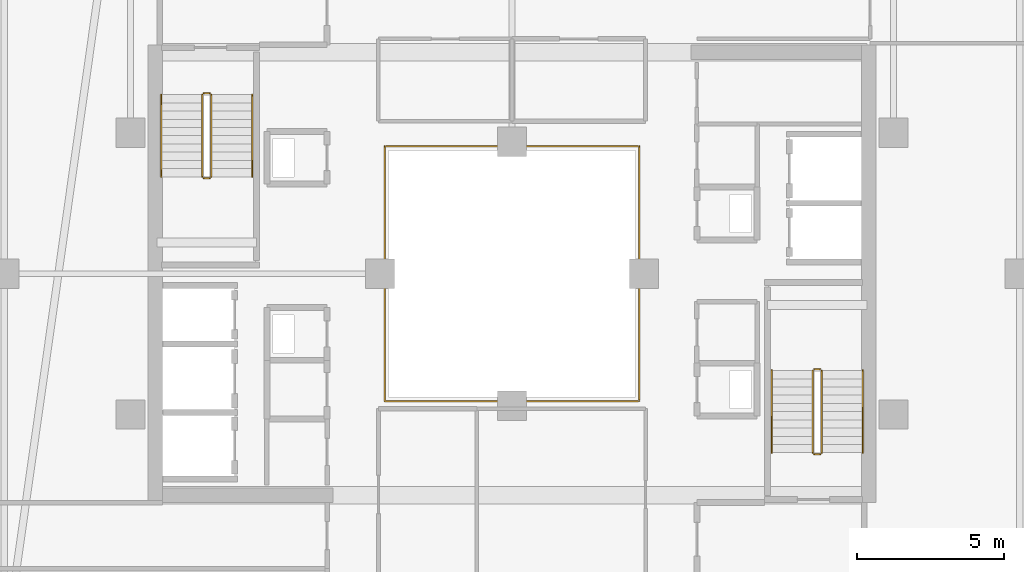
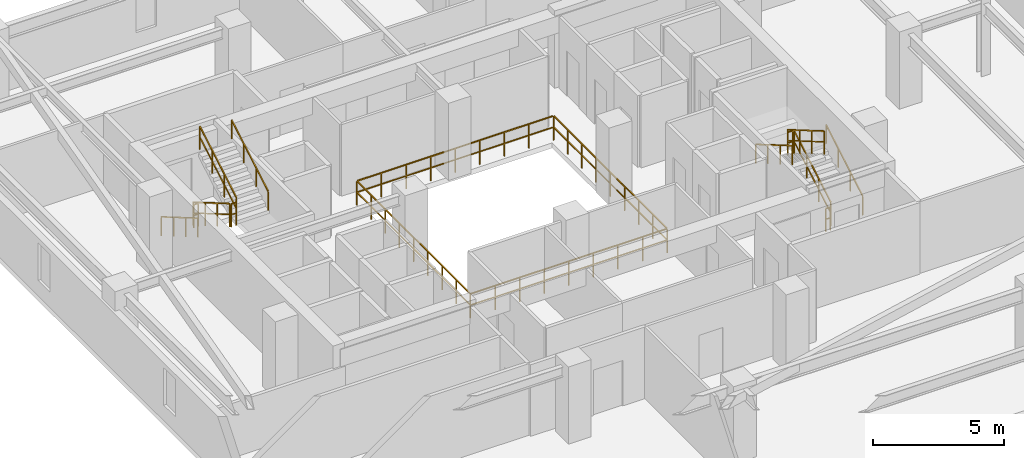
# One storey, part 31 of 32: 13 railings.
"""IFC4 building model written with IfcOpenShell, lengths in metres."""

import ifcopenshell
import ifcopenshell.guid

model = None  # the IFC model being written
_history = None  # IfcOwnerHistory: only IFC2X3 demands one
_inside = {}  # id of a spatial element -> (the spatial element, [elements in it])
_under = {}  # id of a project, library or spatial element -> (it, [spatial elements below it])
_declared = {}  # id of a project -> (the project, [libraries it declares])
_typed = {}  # id of a type object -> (the type object, [elements of that type])
_made_of = {}  # id of a material, layer set ... -> (it, [elements and type objects made of it])


def new_model(schema):
    """Start an empty IFC model of exactly this schema.

    Asked for "IFC4X3", IfcOpenShell would pick the latest addendum, in which some entities
    have other attributes; the version numbers below select the first issue.
    IFC2X3 requires an IfcOwnerHistory on every rooted entity: one is made here for all.
    """
    global model, _history
    if schema == "IFC4X3":
        model = ifcopenshell.file(schema_version=(4, 3, 0, 0))
    else:
        model = ifcopenshell.file(schema=schema)
    _inside.clear()
    _under.clear()
    _declared.clear()
    _typed.clear()
    _made_of.clear()
    _history = None
    if model.schema == "IFC2X3":
        org = make("IfcOrganization", Name="unknown")
        user = make(
            "IfcPersonAndOrganization",
            ThePerson=make("IfcPerson", FamilyName="unknown"),
            TheOrganization=org,
        )
        app = make(
            "IfcApplication",
            ApplicationDeveloper=org,
            Version="unknown",
            ApplicationFullName="unknown",
            ApplicationIdentifier="unknown",
        )
        _history = make(
            "IfcOwnerHistory",
            OwningUser=user,
            OwningApplication=app,
            ChangeAction="ADDED",
            CreationDate=0,
        )
    return model


def make(cls, **values):
    """One entity of the class cls with the attributes given. An attribute that is None is left unset."""
    return model.create_entity(
        cls, **{name: value for name, value in values.items() if value is not None}
    )


def rooted(cls, **values):
    """An entity with a GlobalId (a new one), such as an element, a storey or a relation."""
    return make(cls, GlobalId=ifcopenshell.guid.new(), OwnerHistory=_history, **values)


def si_unit(unit_type, name, prefix=None):
    """IfcSIUnit, for example si_unit("LENGTHUNIT", "METRE", prefix="MILLI")."""
    return make("IfcSIUnit", UnitType=unit_type, Prefix=prefix, Name=name)


def assignment(units):
    """IfcUnitAssignment: the units of a project."""
    return None if units is None else make("IfcUnitAssignment", Units=units)


def point(xyz):
    """IfcCartesianPoint."""
    return None if xyz is None else make("IfcCartesianPoint", Coordinates=xyz)


def direction(xyz):
    """IfcDirection."""
    return None if xyz is None else make("IfcDirection", DirectionRatios=xyz)


def frame(location, z_axis=None, x_axis=None):
    """IfcAxis2Placement3D, a coordinate frame: its origin and axes. An axis left out is left unset."""
    return make(
        "IfcAxis2Placement3D",
        Location=point(location),
        Axis=direction(z_axis),
        RefDirection=direction(x_axis),
    )


def frame_2d(location, x_axis=None):
    """IfcAxis2Placement2D, a coordinate frame in the plane: its origin and x axis."""
    return make(
        "IfcAxis2Placement2D", Location=point(location), RefDirection=direction(x_axis)
    )


def origin():
    """The frame at (0, 0, 0) with its axes left unset."""
    return frame((0.0, 0.0, 0.0))


def origin_2d():
    """The frame at (0, 0) in the plane with its x axis left unset."""
    return frame_2d((0.0, 0.0))


def place(relative_to, where):
    """IfcLocalPlacement: puts the frame where relative to a parent placement (None: the world)."""
    return make(
        "IfcLocalPlacement", PlacementRelTo=relative_to, RelativePlacement=where
    )


def context(
    kind, dimensions, precision=None, world=None, true_north=None, identifier=None
):
    """IfcGeometricRepresentationContext, for example the 3D "Model" context."""
    return make(
        "IfcGeometricRepresentationContext",
        ContextIdentifier=identifier,
        ContextType=kind,
        CoordinateSpaceDimension=dimensions,
        Precision=precision,
        WorldCoordinateSystem=world,
        TrueNorth=true_north,
    )


def subcontext(parent, identifier, kind, view, scale=None):
    """IfcGeometricRepresentationSubContext, for example "Body" below "Model"."""
    return make(
        "IfcGeometricRepresentationSubContext",
        ContextIdentifier=identifier,
        ContextType=kind,
        ParentContext=parent,
        TargetScale=scale,
        TargetView=view,
    )


def project(units=None, contexts=None):
    """IfcProject with its units and contexts."""
    return rooted(
        "IfcProject",
        Name="project",
        RepresentationContexts=contexts,
        UnitsInContext=assignment(units),
    )


def spatial(cls, under=None, at=None, **own):
    """A site, building, storey or space (cls), placed at a placement, below another one or the project."""
    s = rooted(cls, ObjectPlacement=at, **own)
    if under is not None:
        _under.setdefault(under.id(), (under, []))[1].append(s)
    return s


def profile(cls, at=None, kind="AREA", **sizes):
    """A parametric profile (cls). Its sizes go by their IFC names, for example OverallWidth=200.0."""
    return make(cls, ProfileType=kind, Position=at, **sizes)


def rectangle(**sizes):
    """IfcRectangleProfileDef."""
    return profile("IfcRectangleProfileDef", **sizes)


def extrude(swept, where, along, depth):
    """IfcExtrudedAreaSolid: the profile swept, set in the frame where, extruded along a direction by depth."""
    return make(
        "IfcExtrudedAreaSolid",
        SweptArea=swept,
        Position=where,
        ExtrudedDirection=direction(along),
        Depth=depth,
    )


def shape(context_of_items, identifier, shape_type, items):
    """IfcShapeRepresentation: the items that make up one representation, for example the "Body"."""
    return make(
        "IfcShapeRepresentation",
        ContextOfItems=context_of_items,
        RepresentationIdentifier=identifier,
        RepresentationType=shape_type,
        Items=items,
    )


def material(Name=None, Category=None):
    """IfcMaterial."""
    return make("IfcMaterial", Name=Name, Category=Category)


def made_of(thing, what):
    """Note that an element or type object is made of a material, layer set ...; save() writes the relation."""
    if what is not None:
        _made_of.setdefault(what.id(), (what, []))[1].append(thing)
    return thing


def type_object(cls, material=None, **own):
    """A type object (cls), such as IfcWallType, which elements share."""
    return made_of(rooted(cls, **own), material)


def element(
    cls,
    number,
    at=None,
    inside=None,
    cuts=None,
    type_object=None,
    material=None,
    context=None,
    identifier="Body",
    shape_type=None,
    held_by="IfcProductDefinitionShape",
    body=None,
    shapes=None,
    **own,
):
    """One element of the class cls, such as IfcWall. Its Tag is "e" and its number.

    at: its placement. inside: the storey or other place that contains it. cuts: it is an
    opening in that element (IfcRelVoidsElement). A single representation is given by context,
    identifier, shape_type and body (its items); several are given by shapes. held_by: the class
    of the entity that holds the representations. save() writes the other relations.
    """
    e = rooted(cls, Tag="e%d" % number, ObjectPlacement=at, **own)
    if body is not None:
        shapes = [shape(context, identifier, shape_type, body)]
    if shapes is not None:
        e.Representation = make(held_by, Representations=shapes)
    if inside is not None:
        _inside.setdefault(inside.id(), (inside, []))[1].append(e)
    if cuts is not None:
        rooted(
            "IfcRelVoidsElement", RelatingBuildingElement=cuts, RelatedOpeningElement=e
        )
    if type_object is not None:
        _typed.setdefault(type_object.id(), (type_object, []))[1].append(e)
    return made_of(e, material)


def aggregate(whole, parts):
    """IfcRelAggregates: a whole, such as a stair, and the parts it consists of."""
    return rooted("IfcRelAggregates", RelatingObject=whole, RelatedObjects=parts)


def save(model, path):
    """Write the relations noted so far, then the file.

    IfcRelAggregates (storeys below a building ...), IfcRelContainedInSpatialStructure (elements
    in a storey), IfcRelDefinesByType, IfcRelAssociatesMaterial and IfcRelDeclares: one each for
    every whole, place, type object, material and project.
    """
    for whole, parts in _under.values():
        aggregate(whole, parts)
    for where, things in _inside.values():
        rooted(
            "IfcRelContainedInSpatialStructure",
            RelatedElements=things,
            RelatingStructure=where,
        )
    for kind, things in _typed.values():
        rooted("IfcRelDefinesByType", RelatedObjects=things, RelatingType=kind)
    for what, things in _made_of.values():
        rooted("IfcRelAssociatesMaterial", RelatedObjects=things, RelatingMaterial=what)
    for by, libraries in _declared.values():
        rooted("IfcRelDeclares", RelatingContext=by, RelatedDefinitions=libraries)
    model.write(path)


model = new_model("IFC4")

# Units and contexts
model_context = context("Model", 3, precision=1e-05, world=origin(), true_north=direction((0.0, 1.0)))
body_context = subcontext(model_context, "Body", "Model", "MODEL_VIEW")
ifc_project = project(units=[si_unit("LENGTHUNIT", "METRE"), si_unit("AREAUNIT", "SQUARE_METRE"), si_unit("VOLUMEUNIT", "CUBIC_METRE"), si_unit("PLANEANGLEUNIT", "RADIAN"), si_unit("MASSUNIT", "GRAM", prefix="KILO")], contexts=[model_context])

# Site, building, storey
site_placement = place(None, origin())
site = spatial("IfcSite", under=ifc_project, at=site_placement, CompositionType="ELEMENT")
building_placement = place(site_placement, origin())
building = spatial("IfcBuilding", under=site, at=building_placement, Name="Thornwick Lancets Civic Towers", CompositionType="ELEMENT")
storey_placement = place(building_placement, frame((0.0, 0.0, 243.89990234375)))
storey = spatial("IfcBuildingStorey", under=building, at=storey_placement, Name="L65", CompositionType="ELEMENT", Elevation=243.89990234375)

# Railings
ifc_material_1 = material(Name="Laminated glass and bronze steel S355", Category="steel")
railing_type_1 = type_object("IfcRailingType", Name="RAIL_ATRIUM_GUARD", PredefinedType="BALUSTRADE", material=ifc_material_1)
railing_1_placement = place(storey_placement, frame((84.159912109375, 22.659912109375, 0.0)))
element("IfcRailing", 1, at=railing_1_placement, inside=storey, type_object=railing_type_1, Name="L65 Tower B Central Atrium Guard Balustrade", PredefinedType="BALUSTRADE", context=body_context, shape_type="SweptSolid", body=[
    extrude(rectangle(XDim=0.048095703125, YDim=0.048095703125, at=origin_2d()), frame((0.0, 0.0, 1.1259765625), z_axis=(1.0, 0.0, 0.0), x_axis=(0.0, 1.0, 0.0)), (0.0, 0.0, 1.0), 8.64892578125),
    extrude(rectangle(XDim=0.0419921875, YDim=0.0419921875, at=origin_2d()), frame((0.03759765625, 0.0, 0.597900390625), z_axis=(1.0, 0.0, 0.0), x_axis=(0.0, 1.0, 0.0)), (0.0, 0.0, 1.0), 1.010009765625),
    extrude(rectangle(XDim=0.0419921875, YDim=0.0419921875, at=origin_2d()), frame((1.12255859375, 0.0, 0.597900390625), z_axis=(1.0, 0.0, 0.0), x_axis=(0.0, 1.0, 0.0)), (0.0, 0.0, 1.0), 1.010009765625),
    extrude(rectangle(XDim=0.0419921875, YDim=0.0419921875, at=origin_2d()), frame((2.20751953125, 0.0, 0.597900390625), z_axis=(1.0, 0.0, 0.0), x_axis=(0.0, 1.0, 0.0)), (0.0, 0.0, 1.0), 1.010009765625),
    extrude(rectangle(XDim=0.0419921875, YDim=0.0419921875, at=origin_2d()), frame((3.29248046875, 0.0, 0.597900390625), z_axis=(1.0, 0.0, 0.0), x_axis=(0.0, 1.0, 0.0)), (0.0, 0.0, 1.0), 1.010009765625),
    extrude(rectangle(XDim=0.0419921875, YDim=0.0419921875, at=origin_2d()), frame((4.377685546875, 0.0, 0.597900390625), z_axis=(1.0, 0.0, 0.0), x_axis=(0.0, 1.0, 0.0)), (0.0, 0.0, 1.0), 1.010009765625),
    extrude(rectangle(XDim=0.0419921875, YDim=0.0419921875, at=origin_2d()), frame((5.462646484375, 0.0, 0.597900390625), z_axis=(1.0, 0.0, 0.0), x_axis=(0.0, 1.0, 0.0)), (0.0, 0.0, 1.0), 1.010009765625),
    extrude(rectangle(XDim=0.0419921875, YDim=0.0419921875, at=origin_2d()), frame((6.547607421875, 0.0, 0.597900390625), z_axis=(1.0, 0.0, 0.0), x_axis=(0.0, 1.0, 0.0)), (0.0, 0.0, 1.0), 1.010009765625),
    extrude(rectangle(XDim=0.0419921875, YDim=0.0419921875, at=origin_2d()), frame((7.632568359375, 0.0, 0.597900390625), z_axis=(1.0, 0.0, 0.0), x_axis=(0.0, 1.0, 0.0)), (0.0, 0.0, 1.0), 1.010009765625),
    extrude(rectangle(XDim=0.048095703125, YDim=0.048095703125, at=origin_2d()), frame((8.68017578125, 0.03125, 1.1259765625), z_axis=(0.0, 1.0, 0.0), x_axis=(-1.0, 0.0, 0.0)), (0.0, 0.0, 1.0), 8.61767578125),
    extrude(rectangle(XDim=0.0419921875, YDim=0.0419921875, at=origin_2d()), frame((8.68017578125, 0.03759765625, 0.597900390625), z_axis=(0.0, 1.0, 0.0), x_axis=(-1.0, 0.0, 0.0)), (0.0, 0.0, 1.0), 1.010009765625),
    extrude(rectangle(XDim=0.0419921875, YDim=0.0419921875, at=origin_2d()), frame((8.68017578125, 1.12255859375, 0.597900390625), z_axis=(0.0, 1.0, 0.0), x_axis=(-1.0, 0.0, 0.0)), (0.0, 0.0, 1.0), 1.010009765625),
    extrude(rectangle(XDim=0.0419921875, YDim=0.0419921875, at=origin_2d()), frame((8.68017578125, 2.20751953125, 0.597900390625), z_axis=(0.0, 1.0, 0.0), x_axis=(-1.0, 0.0, 0.0)), (0.0, 0.0, 1.0), 1.010009765625),
    extrude(rectangle(XDim=0.0419921875, YDim=0.0419921875, at=origin_2d()), frame((8.68017578125, 3.29248046875, 0.597900390625), z_axis=(0.0, 1.0, 0.0), x_axis=(-1.0, 0.0, 0.0)), (0.0, 0.0, 1.0), 1.010009765625),
    extrude(rectangle(XDim=0.0419921875, YDim=0.0419921875, at=origin_2d()), frame((8.68017578125, 4.377685546875, 0.597900390625), z_axis=(0.0, 1.0, 0.0), x_axis=(-1.0, 0.0, 0.0)), (0.0, 0.0, 1.0), 1.010009765625),
    extrude(rectangle(XDim=0.0419921875, YDim=0.0419921875, at=origin_2d()), frame((8.68017578125, 5.462646484375, 0.597900390625), z_axis=(0.0, 1.0, 0.0), x_axis=(-1.0, 0.0, 0.0)), (0.0, 0.0, 1.0), 1.010009765625),
    extrude(rectangle(XDim=0.0419921875, YDim=0.0419921875, at=origin_2d()), frame((8.68017578125, 6.547607421875, 0.597900390625), z_axis=(0.0, 1.0, 0.0), x_axis=(-1.0, 0.0, 0.0)), (0.0, 0.0, 1.0), 1.010009765625),
    extrude(rectangle(XDim=0.0419921875, YDim=0.0419921875, at=origin_2d()), frame((8.68017578125, 7.632568359375, 0.597900390625), z_axis=(0.0, 1.0, 0.0), x_axis=(-1.0, 0.0, 0.0)), (0.0, 0.0, 1.0), 1.010009765625),
    extrude(rectangle(XDim=0.048095703125, YDim=0.048095703125, at=origin_2d()), frame((8.64892578125, 8.68017578125, 1.1259765625), z_axis=(-1.0, 0.0, 0.0), x_axis=(0.0, -1.0, 0.0)), (0.0, 0.0, 1.0), 8.61767578125),
    extrude(rectangle(XDim=0.0419921875, YDim=0.0419921875, at=origin_2d()), frame((8.642578125, 8.68017578125, 0.597900390625), z_axis=(-1.0, 0.0, 0.0), x_axis=(0.0, -1.0, 0.0)), (0.0, 0.0, 1.0), 1.010009765625),
    extrude(rectangle(XDim=0.0419921875, YDim=0.0419921875, at=origin_2d()), frame((7.5576171875, 8.68017578125, 0.597900390625), z_axis=(-1.0, 0.0, 0.0), x_axis=(0.0, -1.0, 0.0)), (0.0, 0.0, 1.0), 1.010009765625),
    extrude(rectangle(XDim=0.0419921875, YDim=0.0419921875, at=origin_2d()), frame((6.47265625, 8.68017578125, 0.597900390625), z_axis=(-1.0, 0.0, 0.0), x_axis=(0.0, -1.0, 0.0)), (0.0, 0.0, 1.0), 1.010009765625),
    extrude(rectangle(XDim=0.0419921875, YDim=0.0419921875, at=origin_2d()), frame((5.3876953125, 8.68017578125, 0.597900390625), z_axis=(-1.0, 0.0, 0.0), x_axis=(0.0, -1.0, 0.0)), (0.0, 0.0, 1.0), 1.010009765625),
    extrude(rectangle(XDim=0.0419921875, YDim=0.0419921875, at=origin_2d()), frame((4.302490234375, 8.68017578125, 0.597900390625), z_axis=(-1.0, 0.0, 0.0), x_axis=(0.0, -1.0, 0.0)), (0.0, 0.0, 1.0), 1.010009765625),
    extrude(rectangle(XDim=0.0419921875, YDim=0.0419921875, at=origin_2d()), frame((3.217529296875, 8.68017578125, 0.597900390625), z_axis=(-1.0, 0.0, 0.0), x_axis=(0.0, -1.0, 0.0)), (0.0, 0.0, 1.0), 1.010009765625),
    extrude(rectangle(XDim=0.0419921875, YDim=0.0419921875, at=origin_2d()), frame((2.132568359375, 8.68017578125, 0.597900390625), z_axis=(-1.0, 0.0, 0.0), x_axis=(0.0, -1.0, 0.0)), (0.0, 0.0, 1.0), 1.010009765625),
    extrude(rectangle(XDim=0.0419921875, YDim=0.0419921875, at=origin_2d()), frame((1.047607421875, 8.68017578125, 0.597900390625), z_axis=(-1.0, 0.0, 0.0), x_axis=(0.0, -1.0, 0.0)), (0.0, 0.0, 1.0), 1.010009765625),
    extrude(rectangle(XDim=0.048095703125, YDim=0.048095703125, at=origin_2d()), frame((0.0, 8.64892578125, 1.1259765625), z_axis=(0.0, -1.0, 0.0), x_axis=(1.0, 0.0, 0.0)), (0.0, 0.0, 1.0), 8.64892578125),
    extrude(rectangle(XDim=0.0419921875, YDim=0.0419921875, at=origin_2d()), frame((0.0, 8.642578125, 0.597900390625), z_axis=(0.0, -1.0, 0.0), x_axis=(1.0, 0.0, 0.0)), (0.0, 0.0, 1.0), 1.010009765625),
    extrude(rectangle(XDim=0.0419921875, YDim=0.0419921875, at=origin_2d()), frame((0.0, 7.5576171875, 0.597900390625), z_axis=(0.0, -1.0, 0.0), x_axis=(1.0, 0.0, 0.0)), (0.0, 0.0, 1.0), 1.010009765625),
    extrude(rectangle(XDim=0.0419921875, YDim=0.0419921875, at=origin_2d()), frame((0.0, 6.47265625, 0.597900390625), z_axis=(0.0, -1.0, 0.0), x_axis=(1.0, 0.0, 0.0)), (0.0, 0.0, 1.0), 1.010009765625),
    extrude(rectangle(XDim=0.0419921875, YDim=0.0419921875, at=origin_2d()), frame((0.0, 5.3876953125, 0.597900390625), z_axis=(0.0, -1.0, 0.0), x_axis=(1.0, 0.0, 0.0)), (0.0, 0.0, 1.0), 1.010009765625),
    extrude(rectangle(XDim=0.0419921875, YDim=0.0419921875, at=origin_2d()), frame((0.0, 4.302490234375, 0.597900390625), z_axis=(0.0, -1.0, 0.0), x_axis=(1.0, 0.0, 0.0)), (0.0, 0.0, 1.0), 1.010009765625),
    extrude(rectangle(XDim=0.0419921875, YDim=0.0419921875, at=origin_2d()), frame((0.0, 3.217529296875, 0.597900390625), z_axis=(0.0, -1.0, 0.0), x_axis=(1.0, 0.0, 0.0)), (0.0, 0.0, 1.0), 1.010009765625),
    extrude(rectangle(XDim=0.0419921875, YDim=0.0419921875, at=origin_2d()), frame((0.0, 2.132568359375, 0.597900390625), z_axis=(0.0, -1.0, 0.0), x_axis=(1.0, 0.0, 0.0)), (0.0, 0.0, 1.0), 1.010009765625),
    extrude(rectangle(XDim=0.0419921875, YDim=0.0419921875, at=origin_2d()), frame((0.0, 1.047607421875, 0.597900390625), z_axis=(0.0, -1.0, 0.0), x_axis=(1.0, 0.0, 0.0)), (0.0, 0.0, 1.0), 1.010009765625),
    extrude(rectangle(XDim=0.0419921875, YDim=0.0419921875, at=origin_2d()), origin(), (0.0, 0.0, 1.0), 1.095703125),
    extrude(rectangle(XDim=0.0419921875, YDim=0.0419921875, at=origin_2d()), frame((1.0849609375, 0.0, 0.0)), (0.0, 0.0, 1.0), 1.095703125),
    extrude(rectangle(XDim=0.0419921875, YDim=0.0419921875, at=origin_2d()), frame((2.169921875, 0.0, 0.0)), (0.0, 0.0, 1.0), 1.095703125),
    extrude(rectangle(XDim=0.0419921875, YDim=0.0419921875, at=origin_2d()), frame((3.255126953125, 0.0, 0.0)), (0.0, 0.0, 1.0), 1.095703125),
    extrude(rectangle(XDim=0.0419921875, YDim=0.0419921875, at=origin_2d()), frame((4.340087890625, 0.0, 0.0)), (0.0, 0.0, 1.0), 1.095703125),
    extrude(rectangle(XDim=0.0419921875, YDim=0.0419921875, at=origin_2d()), frame((5.425048828125, 0.0, 0.0)), (0.0, 0.0, 1.0), 1.095703125),
    extrude(rectangle(XDim=0.0419921875, YDim=0.0419921875, at=origin_2d()), frame((6.51025390625, 0.0, 0.0)), (0.0, 0.0, 1.0), 1.095703125),
    extrude(rectangle(XDim=0.0419921875, YDim=0.0419921875, at=origin_2d()), frame((7.59521484375, 0.0, 0.0)), (0.0, 0.0, 1.0), 1.095703125),
    extrude(rectangle(XDim=0.0419921875, YDim=0.0419921875, at=origin_2d()), frame((8.68017578125, 0.0, 0.0)), (0.0, 0.0, 1.0), 1.095703125),
    extrude(rectangle(XDim=0.0419921875, YDim=0.0419921875, at=origin_2d()), frame((8.68017578125, 1.0849609375, 0.0)), (0.0, 0.0, 1.0), 1.095703125),
    extrude(rectangle(XDim=0.0419921875, YDim=0.0419921875, at=origin_2d()), frame((8.68017578125, 2.169921875, 0.0)), (0.0, 0.0, 1.0), 1.095703125),
    extrude(rectangle(XDim=0.0419921875, YDim=0.0419921875, at=origin_2d()), frame((8.68017578125, 3.255126953125, 0.0)), (0.0, 0.0, 1.0), 1.095703125),
    extrude(rectangle(XDim=0.0419921875, YDim=0.0419921875, at=origin_2d()), frame((8.68017578125, 4.340087890625, 0.0)), (0.0, 0.0, 1.0), 1.095703125),
    extrude(rectangle(XDim=0.0419921875, YDim=0.0419921875, at=origin_2d()), frame((8.68017578125, 5.425048828125, 0.0)), (0.0, 0.0, 1.0), 1.095703125),
    extrude(rectangle(XDim=0.0419921875, YDim=0.0419921875, at=origin_2d()), frame((8.68017578125, 6.51025390625, 0.0)), (0.0, 0.0, 1.0), 1.095703125),
    extrude(rectangle(XDim=0.0419921875, YDim=0.0419921875, at=origin_2d()), frame((8.68017578125, 7.59521484375, 0.0)), (0.0, 0.0, 1.0), 1.095703125),
    extrude(rectangle(XDim=0.0419921875, YDim=0.0419921875, at=origin_2d()), frame((8.68017578125, 8.68017578125, 0.0)), (0.0, 0.0, 1.0), 1.095703125),
    extrude(rectangle(XDim=0.0419921875, YDim=0.0419921875, at=origin_2d()), frame((7.59521484375, 8.68017578125, 0.0)), (0.0, 0.0, 1.0), 1.095703125),
    extrude(rectangle(XDim=0.0419921875, YDim=0.0419921875, at=origin_2d()), frame((6.51025390625, 8.68017578125, 0.0)), (0.0, 0.0, 1.0), 1.095703125),
    extrude(rectangle(XDim=0.0419921875, YDim=0.0419921875, at=origin_2d()), frame((5.425048828125, 8.68017578125, 0.0)), (0.0, 0.0, 1.0), 1.095703125),
    extrude(rectangle(XDim=0.0419921875, YDim=0.0419921875, at=origin_2d()), frame((4.340087890625, 8.68017578125, 0.0)), (0.0, 0.0, 1.0), 1.095703125),
    extrude(rectangle(XDim=0.0419921875, YDim=0.0419921875, at=origin_2d()), frame((3.255126953125, 8.68017578125, 0.0)), (0.0, 0.0, 1.0), 1.095703125),
    extrude(rectangle(XDim=0.0419921875, YDim=0.0419921875, at=origin_2d()), frame((2.169921875, 8.68017578125, 0.0)), (0.0, 0.0, 1.0), 1.095703125),
    extrude(rectangle(XDim=0.0419921875, YDim=0.0419921875, at=origin_2d()), frame((1.0849609375, 8.68017578125, 0.0)), (0.0, 0.0, 1.0), 1.095703125),
    extrude(rectangle(XDim=0.0419921875, YDim=0.0419921875, at=origin_2d()), frame((0.0, 8.68017578125, 0.0)), (0.0, 0.0, 1.0), 1.095703125),
    extrude(rectangle(XDim=0.0419921875, YDim=0.0419921875, at=origin_2d()), frame((0.0, 7.59521484375, 0.0)), (0.0, 0.0, 1.0), 1.095703125),
    extrude(rectangle(XDim=0.0419921875, YDim=0.0419921875, at=origin_2d()), frame((0.0, 6.51025390625, 0.0)), (0.0, 0.0, 1.0), 1.095703125),
    extrude(rectangle(XDim=0.0419921875, YDim=0.0419921875, at=origin_2d()), frame((0.0, 5.425048828125, 0.0)), (0.0, 0.0, 1.0), 1.095703125),
    extrude(rectangle(XDim=0.0419921875, YDim=0.0419921875, at=origin_2d()), frame((0.0, 4.340087890625, 0.0)), (0.0, 0.0, 1.0), 1.095703125),
    extrude(rectangle(XDim=0.0419921875, YDim=0.0419921875, at=origin_2d()), frame((0.0, 3.255126953125, 0.0)), (0.0, 0.0, 1.0), 1.095703125),
    extrude(rectangle(XDim=0.0419921875, YDim=0.0419921875, at=origin_2d()), frame((0.0, 2.169921875, 0.0)), (0.0, 0.0, 1.0), 1.095703125),
    extrude(rectangle(XDim=0.0419921875, YDim=0.0419921875, at=origin_2d()), frame((0.0, 1.0849609375, 0.0)), (0.0, 0.0, 1.0), 1.095703125),
])
ifc_material_2 = material(Name="Brushed stainless steel S355", Category="steel")
railing_type_2 = type_object("IfcRailingType", Name="RAIL_HANDRAIL", PredefinedType="HANDRAIL", material=ifc_material_2)
railing_2_placement = place(storey_placement, frame((100.449951171875, 20.89990234375, 0.163818359375)))
element("IfcRailing", 2, at=railing_2_placement, inside=storey, type_object=railing_type_2, Name="L65 ST-B1 stair handrail 1", PredefinedType="HANDRAIL", context=body_context, shape_type="SweptSolid", body=[
    extrude(rectangle(XDim=0.048095703125, YDim=0.048095703125, at=origin_2d()), frame((0.0, 0.0, 0.8857421875), z_axis=(0.0, 0.863393664356, 0.504530851732), x_axis=(-1.0, 0.0, 0.0)), (0.0, 0.0, 1.0), 3.2431640625),
    extrude(rectangle(XDim=0.0419921875, YDim=0.0419921875, at=origin_2d()), origin(), (0.0, 0.0, 1.0), 0.855712890625),
    extrude(rectangle(XDim=0.0419921875, YDim=0.0419921875, at=origin_2d()), frame((0.0, 0.933349609375, 0.54541015625)), (0.0, 0.0, 1.0), 0.855712890625),
    extrude(rectangle(XDim=0.0419921875, YDim=0.0419921875, at=origin_2d()), frame((0.0, 1.86669921875, 1.0908203125)), (0.0, 0.0, 1.0), 0.855712890625),
    extrude(rectangle(XDim=0.0419921875, YDim=0.0419921875, at=origin_2d()), frame((0.0, 2.800048828125, 1.63623046875)), (0.0, 0.0, 1.0), 0.855712890625),
])
railing_3_placement = place(storey_placement, frame((97.35009765625, 23.699951171875, 1.963623046875)))
element("IfcRailing", 3, at=railing_3_placement, inside=storey, type_object=railing_type_2, Name="L65 ST-B1 stair handrail 2", PredefinedType="HANDRAIL", context=body_context, shape_type="SweptSolid", body=[
    extrude(rectangle(XDim=0.048095703125, YDim=0.048095703125, at=origin_2d()), frame((0.0, 0.0, 0.8857421875), z_axis=(0.0, -0.863360870873, 0.504586966384), x_axis=(1.0, 0.0, 0.0)), (0.0, 0.0, 1.0), 3.2431640625),
    extrude(rectangle(XDim=0.0419921875, YDim=0.0419921875, at=origin_2d()), origin(), (0.0, 0.0, 1.0), 0.855712890625),
    extrude(rectangle(XDim=0.0419921875, YDim=0.0419921875, at=origin_2d()), frame((0.0, -0.933349609375, 0.54541015625)), (0.0, 0.0, 1.0), 0.855712890625),
    extrude(rectangle(XDim=0.0419921875, YDim=0.0419921875, at=origin_2d()), frame((0.0, -1.86669921875, 1.091064453125)), (0.0, 0.0, 1.0), 0.855712890625),
    extrude(rectangle(XDim=0.0419921875, YDim=0.0419921875, at=origin_2d()), frame((0.0, -2.800048828125, 1.636474609375)), (0.0, 0.0, 1.0), 0.855712890625),
])
railing_4_placement = place(storey_placement, frame((76.550048828125, 33.10009765625, 0.163818359375)))
element("IfcRailing", 4, at=railing_4_placement, inside=storey, type_object=railing_type_2, Name="L65 ST-B2 stair handrail 1", PredefinedType="HANDRAIL", context=body_context, shape_type="SweptSolid", body=[
    extrude(rectangle(XDim=0.048095703125, YDim=0.048095703125, at=origin_2d()), frame((0.0, 0.0, 0.8857421875), z_axis=(0.0, -0.863393664356, 0.504530851732), x_axis=(1.0, 0.0, 0.0)), (0.0, 0.0, 1.0), 3.2431640625),
    extrude(rectangle(XDim=0.0419921875, YDim=0.0419921875, at=origin_2d()), origin(), (0.0, 0.0, 1.0), 0.855712890625),
    extrude(rectangle(XDim=0.0419921875, YDim=0.0419921875, at=origin_2d()), frame((0.0, -0.933349609375, 0.54541015625)), (0.0, 0.0, 1.0), 0.855712890625),
    extrude(rectangle(XDim=0.0419921875, YDim=0.0419921875, at=origin_2d()), frame((0.0, -1.86669921875, 1.0908203125)), (0.0, 0.0, 1.0), 0.855712890625),
    extrude(rectangle(XDim=0.0419921875, YDim=0.0419921875, at=origin_2d()), frame((0.0, -2.800048828125, 1.63623046875)), (0.0, 0.0, 1.0), 0.855712890625),
])
railing_5_placement = place(storey_placement, frame((79.64990234375, 30.300048828125, 1.963623046875)))
element("IfcRailing", 5, at=railing_5_placement, inside=storey, type_object=railing_type_2, Name="L65 ST-B2 stair handrail 2", PredefinedType="HANDRAIL", context=body_context, shape_type="SweptSolid", body=[
    extrude(rectangle(XDim=0.048095703125, YDim=0.048095703125, at=origin_2d()), frame((0.0, 0.0, 0.8857421875), z_axis=(0.0, 0.863360870873, 0.504586966384), x_axis=(-1.0, 0.0, 0.0)), (0.0, 0.0, 1.0), 3.2431640625),
    extrude(rectangle(XDim=0.0419921875, YDim=0.0419921875, at=origin_2d()), origin(), (0.0, 0.0, 1.0), 0.855712890625),
    extrude(rectangle(XDim=0.0419921875, YDim=0.0419921875, at=origin_2d()), frame((0.0, 0.933349609375, 0.54541015625)), (0.0, 0.0, 1.0), 0.855712890625),
    extrude(rectangle(XDim=0.0419921875, YDim=0.0419921875, at=origin_2d()), frame((0.0, 1.86669921875, 1.091064453125)), (0.0, 0.0, 1.0), 0.855712890625),
    extrude(rectangle(XDim=0.0419921875, YDim=0.0419921875, at=origin_2d()), frame((0.0, 2.800048828125, 1.636474609375)), (0.0, 0.0, 1.0), 0.855712890625),
])
ifc_material_3 = material(Name="Steel S355JR", Category="steel")
railing_type_3 = type_object("IfcRailingType", Name="RAIL_STAIR_GUARD", PredefinedType="GUARDRAIL", material=ifc_material_3)
railing_6_placement = place(storey_placement, frame((99.050048828125, 20.89990234375, 0.163818359375)))
element("IfcRailing", 6, at=railing_6_placement, inside=storey, type_object=railing_type_3, Name="L65 ST-B1 stair guard 1", PredefinedType="GUARDRAIL", context=body_context, shape_type="SweptSolid", body=[
    extrude(rectangle(XDim=0.048095703125, YDim=0.048095703125, at=origin_2d()), frame((0.0, 0.0, 1.076171875), z_axis=(0.0, 0.863393664356, 0.504530851732), x_axis=(-1.0, 0.0, 0.0)), (0.0, 0.0, 1.0), 3.2431640625),
    extrude(rectangle(XDim=0.0419921875, YDim=0.0419921875, at=origin_2d()), frame((0.0, 0.032470703125, 0.591064453125), z_axis=(0.0, 0.863393664356, 0.504530851732), x_axis=(-1.0, 0.0, 0.0)), (0.0, 0.0, 1.0), 1.006103515625),
    extrude(rectangle(XDim=0.0419921875, YDim=0.0419921875, at=origin_2d()), frame((0.0, 0.9658203125, 1.136474609375), z_axis=(0.0, 0.863393664356, 0.504530851732), x_axis=(-1.0, 0.0, 0.0)), (0.0, 0.0, 1.0), 1.006103515625),
    extrude(rectangle(XDim=0.0419921875, YDim=0.0419921875, at=origin_2d()), frame((0.0, 1.899169921875, 1.681884765625), z_axis=(0.0, 0.863393664356, 0.504530851732), x_axis=(-1.0, 0.0, 0.0)), (0.0, 0.0, 1.0), 1.006103515625),
    extrude(rectangle(XDim=0.0419921875, YDim=0.0419921875, at=origin_2d()), origin(), (0.0, 0.0, 1.0), 1.0458984375),
    extrude(rectangle(XDim=0.0419921875, YDim=0.0419921875, at=origin_2d()), frame((0.0, 0.933349609375, 0.54541015625)), (0.0, 0.0, 1.0), 1.0458984375),
    extrude(rectangle(XDim=0.0419921875, YDim=0.0419921875, at=origin_2d()), frame((0.0, 1.86669921875, 1.0908203125)), (0.0, 0.0, 1.0), 1.0458984375),
    extrude(rectangle(XDim=0.0419921875, YDim=0.0419921875, at=origin_2d()), frame((0.0, 2.800048828125, 1.63623046875)), (0.0, 0.0, 1.0), 1.0458984375),
])
railing_7_placement = place(storey_placement, frame((99.0, 23.75, 1.800048828125)))
element("IfcRailing", 7, at=railing_7_placement, inside=storey, type_object=railing_type_3, Name="L65 ST-B1 stair guard 2", PredefinedType="GUARDRAIL", context=body_context, shape_type="SweptSolid", body=[
    extrude(rectangle(XDim=0.048095703125, YDim=0.048095703125, at=origin_2d()), frame((0.0, 0.0, 1.076171875), z_axis=(-1.0, 0.0, 0.0), x_axis=(0.0, -1.0, 0.0)), (0.0, 0.0, 1.0), 0.199951171875),
    extrude(rectangle(XDim=0.0419921875, YDim=0.0419921875, at=origin_2d()), frame((-0.03759765625, 0.0, 0.572021484375), z_axis=(-1.0, 0.0, 0.0), x_axis=(0.0, -1.0, 0.0)), (0.0, 0.0, 1.0), 0.125),
    extrude(rectangle(XDim=0.0419921875, YDim=0.0419921875, at=origin_2d()), origin(), (0.0, 0.0, 1.0), 1.0458984375),
    extrude(rectangle(XDim=0.0419921875, YDim=0.0419921875, at=origin_2d()), frame((-0.199951171875, 0.0, 0.0)), (0.0, 0.0, 1.0), 1.0458984375),
])
railing_8_placement = place(storey_placement, frame((98.75, 23.699951171875, 1.963623046875)))
element("IfcRailing", 8, at=railing_8_placement, inside=storey, type_object=railing_type_3, Name="L65 ST-B1 stair guard 3", PredefinedType="GUARDRAIL", context=body_context, shape_type="SweptSolid", body=[
    extrude(rectangle(XDim=0.048095703125, YDim=0.048095703125, at=origin_2d()), frame((0.0, 0.0, 1.076171875), z_axis=(0.0, -0.863360870873, 0.504586966384), x_axis=(1.0, 0.0, 0.0)), (0.0, 0.0, 1.0), 3.2431640625),
    extrude(rectangle(XDim=0.0419921875, YDim=0.0419921875, at=origin_2d()), frame((0.0, -0.032470703125, 0.591064453125), z_axis=(0.0, -0.863360870873, 0.504586966384), x_axis=(1.0, 0.0, 0.0)), (0.0, 0.0, 1.0), 1.006103515625),
    extrude(rectangle(XDim=0.0419921875, YDim=0.0419921875, at=origin_2d()), frame((0.0, -0.9658203125, 1.136474609375), z_axis=(0.0, -0.863360870873, 0.504586966384), x_axis=(1.0, 0.0, 0.0)), (0.0, 0.0, 1.0), 1.006103515625),
    extrude(rectangle(XDim=0.0419921875, YDim=0.0419921875, at=origin_2d()), frame((0.0, -1.899169921875, 1.681884765625), z_axis=(0.0, -0.863360870873, 0.504586966384), x_axis=(1.0, 0.0, 0.0)), (0.0, 0.0, 1.0), 1.006103515625),
    extrude(rectangle(XDim=0.0419921875, YDim=0.0419921875, at=origin_2d()), origin(), (0.0, 0.0, 1.0), 1.0458984375),
    extrude(rectangle(XDim=0.0419921875, YDim=0.0419921875, at=origin_2d()), frame((0.0, -0.933349609375, 0.54541015625)), (0.0, 0.0, 1.0), 1.0458984375),
    extrude(rectangle(XDim=0.0419921875, YDim=0.0419921875, at=origin_2d()), frame((0.0, -1.86669921875, 1.091064453125)), (0.0, 0.0, 1.0), 1.0458984375),
    extrude(rectangle(XDim=0.0419921875, YDim=0.0419921875, at=origin_2d()), frame((0.0, -2.800048828125, 1.636474609375)), (0.0, 0.0, 1.0), 1.0458984375),
])
railing_9_placement = place(storey_placement, frame((99.0, 20.85009765625, 0.0)))
element("IfcRailing", 9, at=railing_9_placement, inside=storey, type_object=railing_type_3, Name="L65 ST-B1 stair guard 4", PredefinedType="GUARDRAIL", context=body_context, shape_type="SweptSolid", body=[
    extrude(rectangle(XDim=0.048095703125, YDim=0.048095703125, at=origin_2d()), frame((0.0, 0.0, 1.076171875), z_axis=(-1.0, 0.0, 0.0), x_axis=(0.0, -1.0, 0.0)), (0.0, 0.0, 1.0), 0.199951171875),
    extrude(rectangle(XDim=0.0419921875, YDim=0.0419921875, at=origin_2d()), frame((-0.03759765625, 0.0, 0.572021484375), z_axis=(-1.0, 0.0, 0.0), x_axis=(0.0, -1.0, 0.0)), (0.0, 0.0, 1.0), 0.125),
    extrude(rectangle(XDim=0.0419921875, YDim=0.0419921875, at=origin_2d()), origin(), (0.0, 0.0, 1.0), 1.0458984375),
    extrude(rectangle(XDim=0.0419921875, YDim=0.0419921875, at=origin_2d()), frame((-0.199951171875, 0.0, 0.0)), (0.0, 0.0, 1.0), 1.0458984375),
])
railing_10_placement = place(storey_placement, frame((77.949951171875, 33.10009765625, 0.163818359375)))
element("IfcRailing", 10, at=railing_10_placement, inside=storey, type_object=railing_type_3, Name="L65 ST-B2 stair guard 1", PredefinedType="GUARDRAIL", context=body_context, shape_type="SweptSolid", body=[
    extrude(rectangle(XDim=0.048095703125, YDim=0.048095703125, at=origin_2d()), frame((0.0, 0.0, 1.076171875), z_axis=(0.0, -0.863393664356, 0.504530851732), x_axis=(1.0, 0.0, 0.0)), (0.0, 0.0, 1.0), 3.2431640625),
    extrude(rectangle(XDim=0.0419921875, YDim=0.0419921875, at=origin_2d()), frame((0.0, -0.032470703125, 0.591064453125), z_axis=(0.0, -0.863393664356, 0.504530851732), x_axis=(1.0, 0.0, 0.0)), (0.0, 0.0, 1.0), 1.006103515625),
    extrude(rectangle(XDim=0.0419921875, YDim=0.0419921875, at=origin_2d()), frame((0.0, -0.9658203125, 1.136474609375), z_axis=(0.0, -0.863393664356, 0.504530851732), x_axis=(1.0, 0.0, 0.0)), (0.0, 0.0, 1.0), 1.006103515625),
    extrude(rectangle(XDim=0.0419921875, YDim=0.0419921875, at=origin_2d()), frame((0.0, -1.899169921875, 1.681884765625), z_axis=(0.0, -0.863393664356, 0.504530851732), x_axis=(1.0, 0.0, 0.0)), (0.0, 0.0, 1.0), 1.006103515625),
    extrude(rectangle(XDim=0.0419921875, YDim=0.0419921875, at=origin_2d()), origin(), (0.0, 0.0, 1.0), 1.0458984375),
    extrude(rectangle(XDim=0.0419921875, YDim=0.0419921875, at=origin_2d()), frame((0.0, -0.933349609375, 0.54541015625)), (0.0, 0.0, 1.0), 1.0458984375),
    extrude(rectangle(XDim=0.0419921875, YDim=0.0419921875, at=origin_2d()), frame((0.0, -1.86669921875, 1.0908203125)), (0.0, 0.0, 1.0), 1.0458984375),
    extrude(rectangle(XDim=0.0419921875, YDim=0.0419921875, at=origin_2d()), frame((0.0, -2.800048828125, 1.63623046875)), (0.0, 0.0, 1.0), 1.0458984375),
])
railing_11_placement = place(storey_placement, frame((78.0, 30.25, 1.800048828125)))
element("IfcRailing", 11, at=railing_11_placement, inside=storey, type_object=railing_type_3, Name="L65 ST-B2 stair guard 2", PredefinedType="GUARDRAIL", context=body_context, shape_type="SweptSolid", body=[
    extrude(rectangle(XDim=0.048095703125, YDim=0.048095703125, at=origin_2d()), frame((0.0, 0.0, 1.076171875), z_axis=(1.0, 0.0, 0.0), x_axis=(0.0, 1.0, 0.0)), (0.0, 0.0, 1.0), 0.199951171875),
    extrude(rectangle(XDim=0.0419921875, YDim=0.0419921875, at=origin_2d()), frame((0.03759765625, 0.0, 0.572021484375), z_axis=(1.0, 0.0, 0.0), x_axis=(0.0, 1.0, 0.0)), (0.0, 0.0, 1.0), 0.125),
    extrude(rectangle(XDim=0.0419921875, YDim=0.0419921875, at=origin_2d()), origin(), (0.0, 0.0, 1.0), 1.0458984375),
    extrude(rectangle(XDim=0.0419921875, YDim=0.0419921875, at=origin_2d()), frame((0.199951171875, 0.0, 0.0)), (0.0, 0.0, 1.0), 1.0458984375),
])
railing_12_placement = place(storey_placement, frame((78.25, 30.300048828125, 1.963623046875)))
element("IfcRailing", 12, at=railing_12_placement, inside=storey, type_object=railing_type_3, Name="L65 ST-B2 stair guard 3", PredefinedType="GUARDRAIL", context=body_context, shape_type="SweptSolid", body=[
    extrude(rectangle(XDim=0.048095703125, YDim=0.048095703125, at=origin_2d()), frame((0.0, 0.0, 1.076171875), z_axis=(0.0, 0.863360870873, 0.504586966384), x_axis=(-1.0, 0.0, 0.0)), (0.0, 0.0, 1.0), 3.2431640625),
    extrude(rectangle(XDim=0.0419921875, YDim=0.0419921875, at=origin_2d()), frame((0.0, 0.032470703125, 0.591064453125), z_axis=(0.0, 0.863360870873, 0.504586966384), x_axis=(-1.0, 0.0, 0.0)), (0.0, 0.0, 1.0), 1.006103515625),
    extrude(rectangle(XDim=0.0419921875, YDim=0.0419921875, at=origin_2d()), frame((0.0, 0.9658203125, 1.136474609375), z_axis=(0.0, 0.863360870873, 0.504586966384), x_axis=(-1.0, 0.0, 0.0)), (0.0, 0.0, 1.0), 1.006103515625),
    extrude(rectangle(XDim=0.0419921875, YDim=0.0419921875, at=origin_2d()), frame((0.0, 1.899169921875, 1.681884765625), z_axis=(0.0, 0.863360870873, 0.504586966384), x_axis=(-1.0, 0.0, 0.0)), (0.0, 0.0, 1.0), 1.006103515625),
    extrude(rectangle(XDim=0.0419921875, YDim=0.0419921875, at=origin_2d()), origin(), (0.0, 0.0, 1.0), 1.0458984375),
    extrude(rectangle(XDim=0.0419921875, YDim=0.0419921875, at=origin_2d()), frame((0.0, 0.933349609375, 0.54541015625)), (0.0, 0.0, 1.0), 1.0458984375),
    extrude(rectangle(XDim=0.0419921875, YDim=0.0419921875, at=origin_2d()), frame((0.0, 1.86669921875, 1.091064453125)), (0.0, 0.0, 1.0), 1.0458984375),
    extrude(rectangle(XDim=0.0419921875, YDim=0.0419921875, at=origin_2d()), frame((0.0, 2.800048828125, 1.636474609375)), (0.0, 0.0, 1.0), 1.0458984375),
])
railing_13_placement = place(storey_placement, frame((78.0, 33.14990234375, 0.0)))
element("IfcRailing", 13, at=railing_13_placement, inside=storey, type_object=railing_type_3, Name="L65 ST-B2 stair guard 4", PredefinedType="GUARDRAIL", context=body_context, shape_type="SweptSolid", body=[
    extrude(rectangle(XDim=0.048095703125, YDim=0.048095703125, at=origin_2d()), frame((0.0, 0.0, 1.076171875), z_axis=(1.0, 0.0, 0.0), x_axis=(0.0, 1.0, 0.0)), (0.0, 0.0, 1.0), 0.199951171875),
    extrude(rectangle(XDim=0.0419921875, YDim=0.0419921875, at=origin_2d()), frame((0.03759765625, 0.0, 0.572021484375), z_axis=(1.0, 0.0, 0.0), x_axis=(0.0, 1.0, 0.0)), (0.0, 0.0, 1.0), 0.125),
    extrude(rectangle(XDim=0.0419921875, YDim=0.0419921875, at=origin_2d()), origin(), (0.0, 0.0, 1.0), 1.0458984375),
    extrude(rectangle(XDim=0.0419921875, YDim=0.0419921875, at=origin_2d()), frame((0.199951171875, 0.0, 0.0)), (0.0, 0.0, 1.0), 1.0458984375),
])

save(model, "model.ifc")
